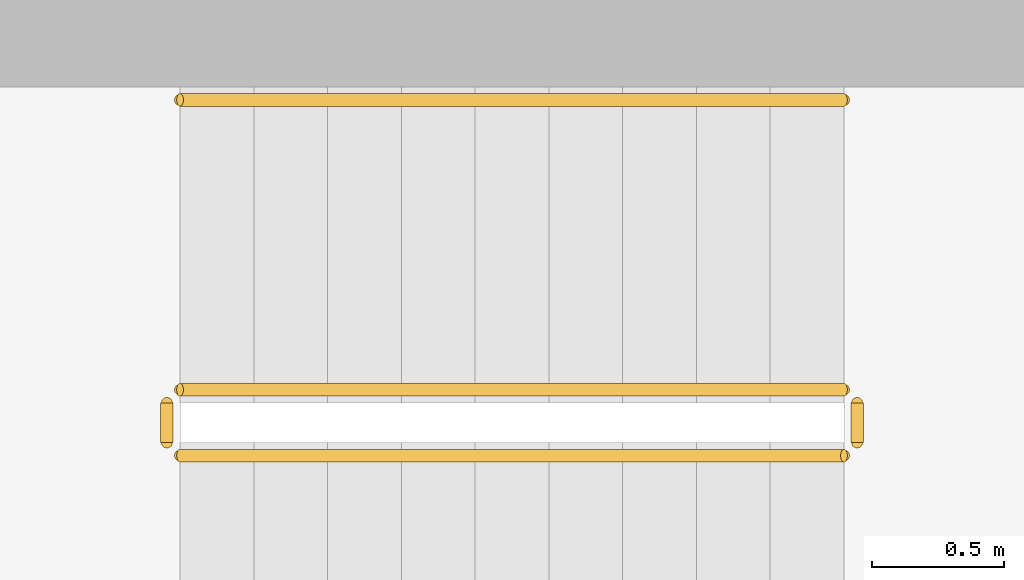
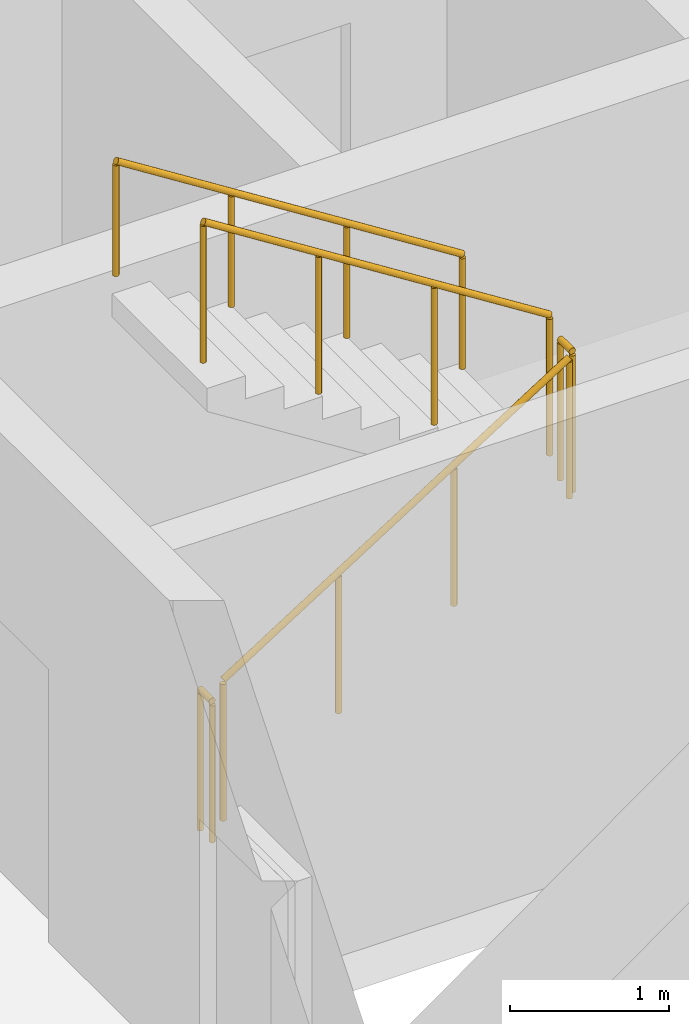
# One storey, part 12 of 14: 5 railings.
"""IFC4 building model written with IfcOpenShell, lengths in metres."""

from ifc_helpers import new_model, si_unit, direction, frame, origin, origin_2d, place, context, subcontext, project, spatial, circle, extrude, material, type_object, element, save


model = new_model("IFC4")

# Units and contexts
model_context = context("Model", 3, precision=1e-05, world=origin(), true_north=direction((0.0, 1.0)))
body_context = subcontext(model_context, "Body", "Model", "MODEL_VIEW")
ifc_project = project(units=[si_unit("LENGTHUNIT", "METRE"), si_unit("AREAUNIT", "SQUARE_METRE"), si_unit("VOLUMEUNIT", "CUBIC_METRE"), si_unit("PLANEANGLEUNIT", "RADIAN"), si_unit("MASSUNIT", "GRAM", prefix="KILO")], contexts=[model_context])

# Site, building, storey
site_placement = place(None, origin())
site = spatial("IfcSite", under=ifc_project, at=site_placement, CompositionType="ELEMENT")
building_placement = place(site_placement, origin())
building = spatial("IfcBuilding", under=site, at=building_placement, Name="Ostrand Prow Hotel Tower", CompositionType="ELEMENT")
storey_placement = place(building_placement, frame((0.0, 0.0, 289.199951171875)))
storey = spatial("IfcBuildingStorey", under=building, at=storey_placement, Name="L73", CompositionType="ELEMENT", Elevation=289.199951171875)

# Railings
ifc_material_1 = material(Name="Painted steel", Category="steel")
railing_type_1 = type_object("IfcRailingType", Name="Stair guard 1100", PredefinedType="GUARDRAIL", material=ifc_material_1)
railing_1_placement = place(storey_placement, frame((57.199951171875, -11.75, 0.177490234375)))
element("IfcRailing", 1, at=railing_1_placement, inside=storey, type_object=railing_type_1, Name="L73 ST2C stair guard 1", PredefinedType="GUARDRAIL", context=body_context, shape_type="SweptSolid", body=[
    extrude(circle(Radius=0.02392578125, at=origin_2d()), frame((0.0, 0.0, 1.076171875), z_axis=(0.84456994832, 0.0, 0.535445237532), x_axis=(0.0, 1.0, 0.0)), (0.0, 0.0, 1.0), 2.98388671875),
    extrude(circle(Radius=0.02099609375, at=origin_2d()), origin(), (0.0, 0.0, 1.0), 1.052001953125),
    extrude(circle(Radius=0.02099609375, at=origin_2d()), frame((0.840087890625, 0.0, 0.532470703125)), (0.0, 0.0, 1.0), 1.052001953125),
    extrude(circle(Radius=0.02099609375, at=origin_2d()), frame((1.679931640625, 0.0, 1.065185546875)), (0.0, 0.0, 1.0), 1.052001953125),
    extrude(circle(Radius=0.02099609375, at=origin_2d()), frame((2.52001953125, 0.0, 1.59765625)), (0.0, 0.0, 1.0), 1.052001953125),
])
railing_2_placement = place(storey_placement, frame((59.77001953125, -11.699951171875, 1.775146484375)))
element("IfcRailing", 2, at=railing_2_placement, inside=storey, type_object=railing_type_1, Name="L73 ST2C stair guard 2", PredefinedType="GUARDRAIL", context=body_context, shape_type="SweptSolid", body=[
    extrude(circle(Radius=0.02392578125, at=origin_2d()), frame((0.0, 0.0, 1.076171875), z_axis=(0.0, 1.0, 0.0), x_axis=(-1.0, 0.0, 0.0)), (0.0, 0.0, 1.0), 0.14990234375),
    extrude(circle(Radius=0.02099609375, at=origin_2d()), origin(), (0.0, 0.0, 1.0), 1.052001953125),
    extrude(circle(Radius=0.02099609375, at=origin_2d()), frame((0.0, 0.14990234375, 0.0)), (0.0, 0.0, 1.0), 1.052001953125),
])
railing_3_placement = place(storey_placement, frame((59.719970703125, -11.5, 1.95263671875)))
element("IfcRailing", 3, at=railing_3_placement, inside=storey, type_object=railing_type_1, Name="L73 ST2C stair guard 3", PredefinedType="GUARDRAIL", context=body_context, shape_type="SweptSolid", body=[
    extrude(circle(Radius=0.02392578125, at=origin_2d()), frame((0.0, 0.0, 1.076171875), z_axis=(-0.84460694969, 0.0, 0.535386869969), x_axis=(0.0, -1.0, 0.0)), (0.0, 0.0, 1.0), 2.983642578125),
    extrude(circle(Radius=0.02099609375, at=origin_2d()), origin(), (0.0, 0.0, 1.0), 1.052001953125),
    extrude(circle(Radius=0.02099609375, at=origin_2d()), frame((-0.840087890625, 0.0, 0.532470703125)), (0.0, 0.0, 1.0), 1.052001953125),
    extrude(circle(Radius=0.02099609375, at=origin_2d()), frame((-1.679931640625, 0.0, 1.06494140625)), (0.0, 0.0, 1.0), 1.052001953125),
    extrude(circle(Radius=0.02099609375, at=origin_2d()), frame((-2.52001953125, 0.0, 1.597412109375)), (0.0, 0.0, 1.0), 1.052001953125),
])
railing_4_placement = place(storey_placement, frame((57.14990234375, -11.699951171875, 0.0)))
element("IfcRailing", 4, at=railing_4_placement, inside=storey, type_object=railing_type_1, Name="L73 ST2C stair guard 4", PredefinedType="GUARDRAIL", context=body_context, shape_type="SweptSolid", body=[
    extrude(circle(Radius=0.02392578125, at=origin_2d()), frame((0.0, 0.0, 1.076171875), z_axis=(0.0, 1.0, 0.0), x_axis=(-1.0, 0.0, 0.0)), (0.0, 0.0, 1.0), 0.14990234375),
    extrude(circle(Radius=0.02099609375, at=origin_2d()), origin(), (0.0, 0.0, 1.0), 1.052001953125),
    extrude(circle(Radius=0.02099609375, at=origin_2d()), frame((0.0, 0.14990234375, 0.0)), (0.0, 0.0, 1.0), 1.052001953125),
])
ifc_material_2 = material(Name="Stainless steel", Category="steel")
railing_type_2 = type_object("IfcRailingType", Name="Stair handrail 900", PredefinedType="HANDRAIL", material=ifc_material_2)
railing_5_placement = place(storey_placement, frame((59.719970703125, -10.39990234375, 1.95263671875)))
element("IfcRailing", 5, at=railing_5_placement, inside=storey, type_object=railing_type_2, Name="L73 ST2C stair handrail 2", PredefinedType="HANDRAIL", context=body_context, shape_type="SweptSolid", body=[
    extrude(circle(Radius=0.02392578125, at=origin_2d()), frame((0.0, 0.0, 0.8759765625), z_axis=(-0.84460694969, 0.0, 0.535386869969), x_axis=(0.0, -1.0, 0.0)), (0.0, 0.0, 1.0), 2.983642578125),
    extrude(circle(Radius=0.02099609375, at=origin_2d()), origin(), (0.0, 0.0, 1.0), 0.851806640625),
    extrude(circle(Radius=0.02099609375, at=origin_2d()), frame((-0.840087890625, 0.0, 0.532470703125)), (0.0, 0.0, 1.0), 0.851806640625),
    extrude(circle(Radius=0.02099609375, at=origin_2d()), frame((-1.679931640625, 0.0, 1.06494140625)), (0.0, 0.0, 1.0), 0.851806640625),
    extrude(circle(Radius=0.02099609375, at=origin_2d()), frame((-2.52001953125, 0.0, 1.597412109375)), (0.0, 0.0, 1.0), 0.851806640625),
])

save(model, "model.ifc")
